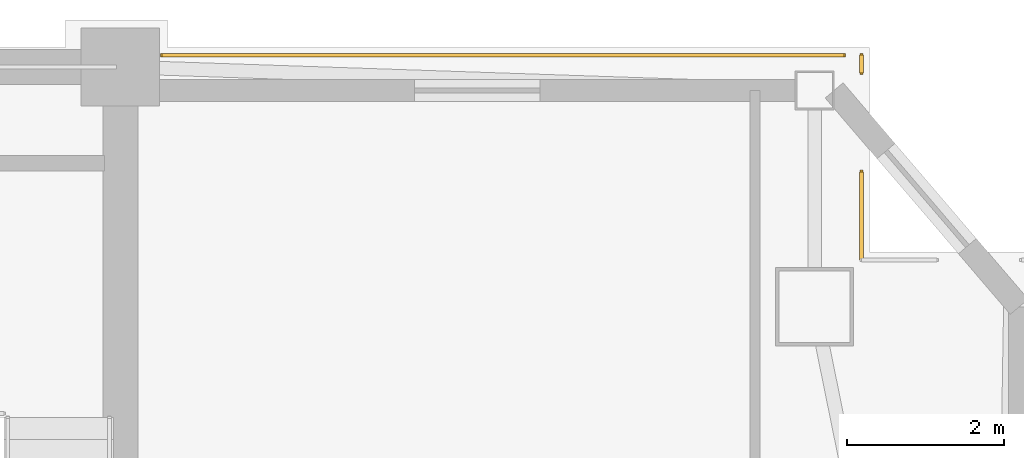
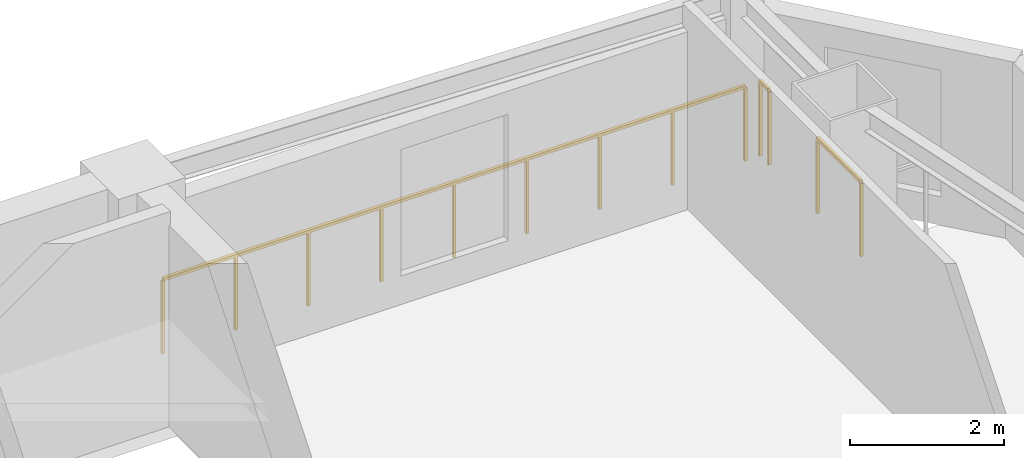
# One storey, part 17 of 17: 3 railings.
"""IFC4 building model written with IfcOpenShell, lengths in metres."""

from ifc_helpers import new_model, si_unit, direction, frame, origin, origin_2d, place, context, subcontext, project, spatial, rectangle, extrude, material, type_object, element, save


model = new_model("IFC4")

# Units and contexts
model_context = context("Model", 3, precision=1e-05, world=origin(), true_north=direction((0.0, 1.0)))
body_context = subcontext(model_context, "Body", "Model", "MODEL_VIEW")
ifc_project = project(units=[si_unit("LENGTHUNIT", "METRE"), si_unit("AREAUNIT", "SQUARE_METRE"), si_unit("VOLUMEUNIT", "CUBIC_METRE"), si_unit("PLANEANGLEUNIT", "RADIAN"), si_unit("MASSUNIT", "GRAM", prefix="KILO")], contexts=[model_context])

# Site, building, storey
site_placement = place(None, origin())
site = spatial("IfcSite", under=ifc_project, at=site_placement, CompositionType="ELEMENT")
building_placement = place(site_placement, origin())
building = spatial("IfcBuilding", under=site, at=building_placement, Name="Giltprow Tower", CompositionType="ELEMENT")
storey_placement = place(building_placement, frame((0.0, 0.0, 248.5)))
storey = spatial("IfcBuildingStorey", under=building, at=storey_placement, Name="L63", CompositionType="ELEMENT", Elevation=248.5)

# Railings
ifc_material = material(Name="Anodized bronze", Category="metal")
railing_type = type_object("IfcRailingType", Name="RAIL-BALC-GUARD-1200", PredefinedType="BALUSTRADE", material=ifc_material)
railing_1_placement = place(storey_placement, frame((51.0849609375, 46.699951171875, 0.0)))
element("IfcRailing", 1, at=railing_1_placement, inside=storey, type_object=railing_type, Name="L63 Corner Apron Edge Balustrade 19", PredefinedType="BALUSTRADE", context=body_context, shape_type="SweptSolid", body=[
    extrude(rectangle(XDim=0.048095703125, YDim=0.048095703125, at=origin_2d()), frame((0.0, 0.0, 1.17578125), z_axis=(1.0, 0.0, 0.0), x_axis=(0.0, 1.0, 0.0)), (0.0, 0.0, 1.0), 8.713134765625),
    extrude(rectangle(XDim=0.0419921875, YDim=0.0419921875, at=origin_2d()), origin(), (0.0, 0.0, 1.0), 1.15185546875),
    extrude(rectangle(XDim=0.0419921875, YDim=0.0419921875, at=origin_2d()), frame((1.089111328125, 0.0, 0.0)), (0.0, 0.0, 1.0), 1.15185546875),
    extrude(rectangle(XDim=0.0419921875, YDim=0.0419921875, at=origin_2d()), frame((2.17822265625, 0.0, 0.0)), (0.0, 0.0, 1.0), 1.15185546875),
    extrude(rectangle(XDim=0.0419921875, YDim=0.0419921875, at=origin_2d()), frame((3.267333984375, 0.0, 0.0)), (0.0, 0.0, 1.0), 1.15185546875),
    extrude(rectangle(XDim=0.0419921875, YDim=0.0419921875, at=origin_2d()), frame((4.3564453125, 0.0, 0.0)), (0.0, 0.0, 1.0), 1.15185546875),
    extrude(rectangle(XDim=0.0419921875, YDim=0.0419921875, at=origin_2d()), frame((5.44580078125, 0.0, 0.0)), (0.0, 0.0, 1.0), 1.15185546875),
    extrude(rectangle(XDim=0.0419921875, YDim=0.0419921875, at=origin_2d()), frame((6.534912109375, 0.0, 0.0)), (0.0, 0.0, 1.0), 1.15185546875),
    extrude(rectangle(XDim=0.0419921875, YDim=0.0419921875, at=origin_2d()), frame((7.6240234375, 0.0, 0.0)), (0.0, 0.0, 1.0), 1.15185546875),
    extrude(rectangle(XDim=0.0419921875, YDim=0.0419921875, at=origin_2d()), frame((8.713134765625, 0.0, 0.0)), (0.0, 0.0, 1.0), 1.15185546875),
])
railing_2_placement = place(storey_placement, frame((60.02197265625, 46.699951171875, 0.0)))
element("IfcRailing", 2, at=railing_2_placement, inside=storey, type_object=railing_type, Name="L63 Corner Apron Edge Balustrade 20", PredefinedType="BALUSTRADE", context=body_context, shape_type="SweptSolid", body=[
    extrude(rectangle(XDim=0.048095703125, YDim=0.048095703125, at=origin_2d()), frame((0.0, 0.0, 1.17578125), z_axis=(0.0, -1.0, 0.0), x_axis=(1.0, 0.0, 0.0)), (0.0, 0.0, 1.0), 0.22802734375),
    extrude(rectangle(XDim=0.0419921875, YDim=0.0419921875, at=origin_2d()), origin(), (0.0, 0.0, 1.0), 1.15185546875),
    extrude(rectangle(XDim=0.0419921875, YDim=0.0419921875, at=origin_2d()), frame((0.0, -0.22802734375, 0.0)), (0.0, 0.0, 1.0), 1.15185546875),
])
railing_3_placement = place(storey_placement, frame((60.02197265625, 45.2099609375, 0.0)))
element("IfcRailing", 3, at=railing_3_placement, inside=storey, type_object=railing_type, Name="L63 Corner Apron Edge Balustrade 21", PredefinedType="BALUSTRADE", context=body_context, shape_type="SweptSolid", body=[
    extrude(rectangle(XDim=0.048095703125, YDim=0.048095703125, at=origin_2d()), frame((0.0, 0.0, 1.17578125), z_axis=(0.0, -1.0, 0.0), x_axis=(1.0, 0.0, 0.0)), (0.0, 0.0, 1.0), 1.1259765625),
    extrude(rectangle(XDim=0.0419921875, YDim=0.0419921875, at=origin_2d()), origin(), (0.0, 0.0, 1.0), 1.15185546875),
    extrude(rectangle(XDim=0.0419921875, YDim=0.0419921875, at=origin_2d()), frame((0.0, -1.1259765625, 0.0)), (0.0, 0.0, 1.0), 1.15185546875),
])

save(model, "model.ifc")
